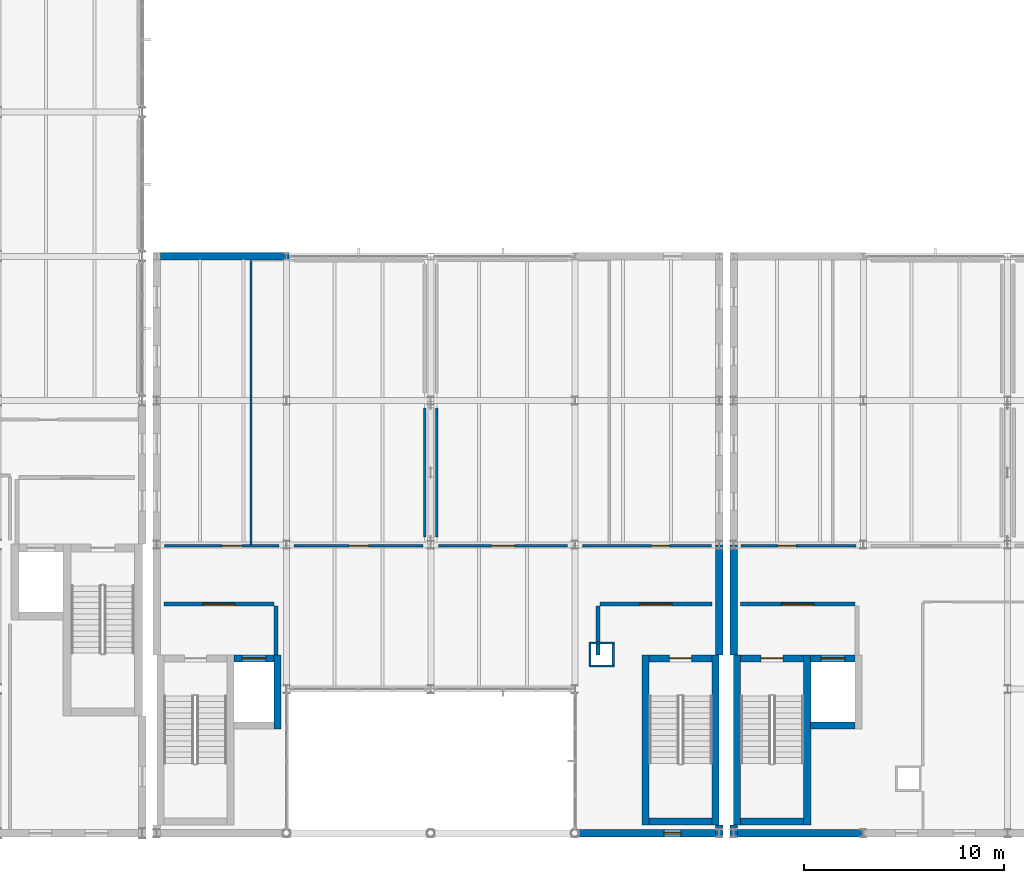
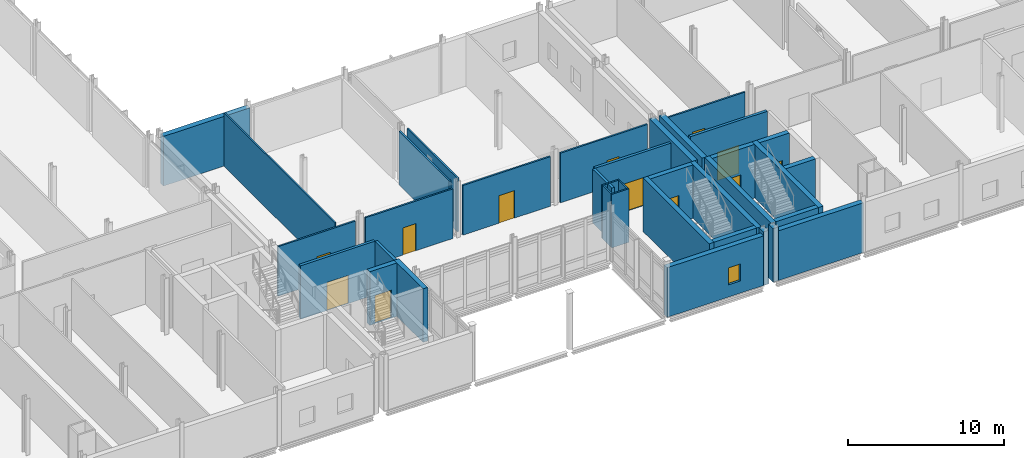
# One storey, part 53 of 76: 36 walls, 12 doors, 1 window, 13 openings.
"""IFC4 building model written with IfcOpenShell, lengths in metres."""

import ifcopenshell
import ifcopenshell.guid

model = None  # the IFC model being written
_history = None  # IfcOwnerHistory: only IFC2X3 demands one
_inside = {}  # id of a spatial element -> (the spatial element, [elements in it])
_under = {}  # id of a project, library or spatial element -> (it, [spatial elements below it])
_declared = {}  # id of a project -> (the project, [libraries it declares])
_typed = {}  # id of a type object -> (the type object, [elements of that type])
_made_of = {}  # id of a material, layer set ... -> (it, [elements and type objects made of it])


def new_model(schema):
    """Start an empty IFC model of exactly this schema.

    Asked for "IFC4X3", IfcOpenShell would pick the latest addendum, in which some entities
    have other attributes; the version numbers below select the first issue.
    IFC2X3 requires an IfcOwnerHistory on every rooted entity: one is made here for all.
    """
    global model, _history
    if schema == "IFC4X3":
        model = ifcopenshell.file(schema_version=(4, 3, 0, 0))
    else:
        model = ifcopenshell.file(schema=schema)
    _inside.clear()
    _under.clear()
    _declared.clear()
    _typed.clear()
    _made_of.clear()
    _history = None
    if model.schema == "IFC2X3":
        org = make("IfcOrganization", Name="unknown")
        user = make(
            "IfcPersonAndOrganization",
            ThePerson=make("IfcPerson", FamilyName="unknown"),
            TheOrganization=org,
        )
        app = make(
            "IfcApplication",
            ApplicationDeveloper=org,
            Version="unknown",
            ApplicationFullName="unknown",
            ApplicationIdentifier="unknown",
        )
        _history = make(
            "IfcOwnerHistory",
            OwningUser=user,
            OwningApplication=app,
            ChangeAction="ADDED",
            CreationDate=0,
        )
    return model


def make(cls, **values):
    """One entity of the class cls with the attributes given. An attribute that is None is left unset."""
    return model.create_entity(
        cls, **{name: value for name, value in values.items() if value is not None}
    )


def rooted(cls, **values):
    """An entity with a GlobalId (a new one), such as an element, a storey or a relation."""
    return make(cls, GlobalId=ifcopenshell.guid.new(), OwnerHistory=_history, **values)


def si_unit(unit_type, name, prefix=None):
    """IfcSIUnit, for example si_unit("LENGTHUNIT", "METRE", prefix="MILLI")."""
    return make("IfcSIUnit", UnitType=unit_type, Prefix=prefix, Name=name)


def assignment(units):
    """IfcUnitAssignment: the units of a project."""
    return None if units is None else make("IfcUnitAssignment", Units=units)


def point(xyz):
    """IfcCartesianPoint."""
    return None if xyz is None else make("IfcCartesianPoint", Coordinates=xyz)


def direction(xyz):
    """IfcDirection."""
    return None if xyz is None else make("IfcDirection", DirectionRatios=xyz)


def frame(location, z_axis=None, x_axis=None):
    """IfcAxis2Placement3D, a coordinate frame: its origin and axes. An axis left out is left unset."""
    return make(
        "IfcAxis2Placement3D",
        Location=point(location),
        Axis=direction(z_axis),
        RefDirection=direction(x_axis),
    )


def frame_2d(location, x_axis=None):
    """IfcAxis2Placement2D, a coordinate frame in the plane: its origin and x axis."""
    return make(
        "IfcAxis2Placement2D", Location=point(location), RefDirection=direction(x_axis)
    )


def origin():
    """The frame at (0, 0, 0) with its axes left unset."""
    return frame((0.0, 0.0, 0.0))


def place(relative_to, where):
    """IfcLocalPlacement: puts the frame where relative to a parent placement (None: the world)."""
    return make(
        "IfcLocalPlacement", PlacementRelTo=relative_to, RelativePlacement=where
    )


def context(
    kind, dimensions, precision=None, world=None, true_north=None, identifier=None
):
    """IfcGeometricRepresentationContext, for example the 3D "Model" context."""
    return make(
        "IfcGeometricRepresentationContext",
        ContextIdentifier=identifier,
        ContextType=kind,
        CoordinateSpaceDimension=dimensions,
        Precision=precision,
        WorldCoordinateSystem=world,
        TrueNorth=true_north,
    )


def subcontext(parent, identifier, kind, view, scale=None):
    """IfcGeometricRepresentationSubContext, for example "Body" below "Model"."""
    return make(
        "IfcGeometricRepresentationSubContext",
        ContextIdentifier=identifier,
        ContextType=kind,
        ParentContext=parent,
        TargetScale=scale,
        TargetView=view,
    )


def project(units=None, contexts=None):
    """IfcProject with its units and contexts."""
    return rooted(
        "IfcProject",
        Name="project",
        RepresentationContexts=contexts,
        UnitsInContext=assignment(units),
    )


def spatial(cls, under=None, at=None, **own):
    """A site, building, storey or space (cls), placed at a placement, below another one or the project."""
    s = rooted(cls, ObjectPlacement=at, **own)
    if under is not None:
        _under.setdefault(under.id(), (under, []))[1].append(s)
    return s


def profile(cls, at=None, kind="AREA", **sizes):
    """A parametric profile (cls). Its sizes go by their IFC names, for example OverallWidth=200.0."""
    return make(cls, ProfileType=kind, Position=at, **sizes)


def rectangle(**sizes):
    """IfcRectangleProfileDef."""
    return profile("IfcRectangleProfileDef", **sizes)


def extrude(swept, where, along, depth):
    """IfcExtrudedAreaSolid: the profile swept, set in the frame where, extruded along a direction by depth."""
    return make(
        "IfcExtrudedAreaSolid",
        SweptArea=swept,
        Position=where,
        ExtrudedDirection=direction(along),
        Depth=depth,
    )


def shape(context_of_items, identifier, shape_type, items):
    """IfcShapeRepresentation: the items that make up one representation, for example the "Body"."""
    return make(
        "IfcShapeRepresentation",
        ContextOfItems=context_of_items,
        RepresentationIdentifier=identifier,
        RepresentationType=shape_type,
        Items=items,
    )


def material(Name=None, Category=None):
    """IfcMaterial."""
    return make("IfcMaterial", Name=Name, Category=Category)


def layer(
    of_material, thickness, ventilated=None, Name=None, Category=None, Priority=None
):
    """IfcMaterialLayer: one layer of a wall or slab, of a material (None: an air gap)."""
    return make(
        "IfcMaterialLayer",
        Material=of_material,
        LayerThickness=thickness,
        IsVentilated=ventilated,
        Name=Name,
        Category=Category,
        Priority=Priority,
    )


def layer_set(layers, Name=None):
    """IfcMaterialLayerSet."""
    return make("IfcMaterialLayerSet", MaterialLayers=layers, LayerSetName=Name)


def made_of(thing, what):
    """Note that an element or type object is made of a material, layer set ...; save() writes the relation."""
    if what is not None:
        _made_of.setdefault(what.id(), (what, []))[1].append(thing)
    return thing


def type_object(cls, material=None, **own):
    """A type object (cls), such as IfcWallType, which elements share."""
    return made_of(rooted(cls, **own), material)


def element(
    cls,
    number,
    at=None,
    inside=None,
    cuts=None,
    type_object=None,
    material=None,
    context=None,
    identifier="Body",
    shape_type=None,
    held_by="IfcProductDefinitionShape",
    body=None,
    shapes=None,
    **own,
):
    """One element of the class cls, such as IfcWall. Its Tag is "e" and its number.

    at: its placement. inside: the storey or other place that contains it. cuts: it is an
    opening in that element (IfcRelVoidsElement). A single representation is given by context,
    identifier, shape_type and body (its items); several are given by shapes. held_by: the class
    of the entity that holds the representations. save() writes the other relations.
    """
    e = rooted(cls, Tag="e%d" % number, ObjectPlacement=at, **own)
    if body is not None:
        shapes = [shape(context, identifier, shape_type, body)]
    if shapes is not None:
        e.Representation = make(held_by, Representations=shapes)
    if inside is not None:
        _inside.setdefault(inside.id(), (inside, []))[1].append(e)
    if cuts is not None:
        rooted(
            "IfcRelVoidsElement", RelatingBuildingElement=cuts, RelatedOpeningElement=e
        )
    if type_object is not None:
        _typed.setdefault(type_object.id(), (type_object, []))[1].append(e)
    return made_of(e, material)


def fill(opening, filler):
    """IfcRelFillsElement: the door or window that sits in an opening."""
    return rooted(
        "IfcRelFillsElement",
        RelatingOpeningElement=opening,
        RelatedBuildingElement=filler,
    )


def aggregate(whole, parts):
    """IfcRelAggregates: a whole, such as a stair, and the parts it consists of."""
    return rooted("IfcRelAggregates", RelatingObject=whole, RelatedObjects=parts)


def save(model, path):
    """Write the relations noted so far, then the file.

    IfcRelAggregates (storeys below a building ...), IfcRelContainedInSpatialStructure (elements
    in a storey), IfcRelDefinesByType, IfcRelAssociatesMaterial and IfcRelDeclares: one each for
    every whole, place, type object, material and project.
    """
    for whole, parts in _under.values():
        aggregate(whole, parts)
    for where, things in _inside.values():
        rooted(
            "IfcRelContainedInSpatialStructure",
            RelatedElements=things,
            RelatingStructure=where,
        )
    for kind, things in _typed.values():
        rooted("IfcRelDefinesByType", RelatedObjects=things, RelatingType=kind)
    for what, things in _made_of.values():
        rooted("IfcRelAssociatesMaterial", RelatedObjects=things, RelatingMaterial=what)
    for by, libraries in _declared.values():
        rooted("IfcRelDeclares", RelatingContext=by, RelatedDefinitions=libraries)
    model.write(path)


model = new_model("IFC4")

# Units and contexts
model_context = context("Model", 3, precision=1e-05, world=origin(), true_north=direction((0.0, 1.0)))
body_context = subcontext(model_context, "Body", "Model", "MODEL_VIEW")
ifc_project = project(units=[si_unit("LENGTHUNIT", "METRE"), si_unit("AREAUNIT", "SQUARE_METRE"), si_unit("VOLUMEUNIT", "CUBIC_METRE"), si_unit("PLANEANGLEUNIT", "RADIAN"), si_unit("MASSUNIT", "GRAM", prefix="KILO")], contexts=[model_context])

# Site, building, storey
site_placement = place(None, origin())
site = spatial("IfcSite", under=ifc_project, at=site_placement, CompositionType="ELEMENT")
building_placement = place(site_placement, origin())
building = spatial("IfcBuilding", under=site, at=building_placement, Name="Zarrinpeak Specialist Clinic", CompositionType="ELEMENT")
storey_placement = place(building_placement, frame((0.0, 0.0, 5.199951171875)))
storey = spatial("IfcBuildingStorey", under=building, at=storey_placement, Name="L01", CompositionType="ELEMENT", Elevation=5.199951171875)

# Wall, opening, door
ifc_material_1 = material(Name="Concrete C40/50", Category="concrete")
ifc_layer_1 = layer(ifc_material_1, 0.35009765625)
ifc_layer_set_1 = layer_set([ifc_layer_1], Name="Concrete C40/50")
wall_type_1 = type_object("IfcWallType", Name="WL-CR350", PredefinedType="SHEAR", material=ifc_layer_set_1)
wall_1_placement = place(storey_placement, frame((33.3701171875, 8.72509765625, 0.0), z_axis=(0.0, 0.0, 1.0), x_axis=(1.0, 0.0, 0.0)))
wall_1 = element("IfcWall", 1, at=wall_1_placement, inside=storey, type_object=wall_type_1, Name="L01 Lift LF-P2 Shaft Wall LFN", PredefinedType="SHEAR", context=body_context, shape_type="SweptSolid", body=[
    extrude(rectangle(XDim=2.0, YDim=0.35009765625, at=frame_2d((1.0, 0.0))), origin(), (0.0, 0.0, 1.0), 4.18505859375),
])
opening_1_placement = place(wall_1_placement, frame((0.39990234375, 0.0, 0.0)))
opening_1 = element("IfcOpeningElement", 2, at=opening_1_placement, cuts=wall_1, Name="Opening LD-02", PredefinedType="OPENING", context=body_context, shape_type="SweptSolid", body=[
    extrude(rectangle(XDim=1.199951171875, YDim=2.199951171875, at=frame_2d((0.60009765625, 1.10009765625))), frame((0.0, 0.18505859375, 0.0), z_axis=(0.0, -1.0, 0.0), x_axis=(1.0, 0.0, 0.0)), (0.0, 0.0, 1.0), 0.3701171875),
])
ifc_material_2 = material(Name="Powder-Coated Galvanised Steel", Category="steel")
door_type_1 = type_object("IfcDoorType", Name="DR-LD120", OperationType="SLIDING_TO_RIGHT", PredefinedType="DOOR", material=ifc_material_2)
door_1_placement = place(opening_1_placement, origin())
door_1 = element("IfcDoor", 3, at=door_1_placement, inside=storey, type_object=door_type_1, Name="L01 Lift LF-P2 Sliding Landing Door", OperationType="SLIDING_TO_RIGHT", OverallHeight=2.199951171875, OverallWidth=1.199951171875, PredefinedType="DOOR", context=body_context, shape_type="SweptSolid", body=[
    extrude(rectangle(XDim=1.199951171875, YDim=2.199951171875, at=frame_2d((0.60009765625, 1.10009765625))), frame((0.0, 0.02490234375, 0.0), z_axis=(0.0, -1.0, 0.0), x_axis=(1.0, 0.0, 0.0)), (0.0, 0.0, 1.0), 0.050048828125),
])
fill(opening_1, door_1)

# Walls
wall_2_placement = place(storey_placement, frame((35.544921875, 5.199951171875, 0.0), z_axis=(0.0, 0.0, 1.0), x_axis=(0.0, 1.0, 0.0)))
element("IfcWall", 4, at=wall_2_placement, inside=storey, type_object=wall_type_1, Name="L01 Lift LF-P2 Shaft Wall LFE", PredefinedType="SHEAR", context=body_context, shape_type="SweptSolid", body=[
    extrude(rectangle(XDim=3.699951171875, YDim=0.35009765625, at=frame_2d((1.85009765625, 0.0))), origin(), (0.0, 0.0, 1.0), 4.18505859375),
])
wall_3_placement = place(storey_placement, frame((54.10009765625, 0.574951171875, 0.0), z_axis=(0.0, 0.0, 1.0), x_axis=(1.0, 0.0, 0.0)))
element("IfcWall", 5, at=wall_3_placement, inside=storey, type_object=wall_type_1, Name="L01 Core C04 Shear Wall STS", PredefinedType="SHEAR", context=body_context, shape_type="SweptSolid", body=[
    extrude(rectangle(XDim=3.14990234375, YDim=0.35009765625, at=frame_2d((1.574951171875, 0.0))), origin(), (0.0, 0.0, 1.0), 4.18505859375),
])

# Wall, opening, door
wall_4_placement = place(storey_placement, frame((54.10009765625, 8.72509765625, 0.0), z_axis=(0.0, 0.0, 1.0), x_axis=(1.0, 0.0, 0.0)))
wall_4 = element("IfcWall", 6, at=wall_4_placement, inside=storey, type_object=wall_type_1, Name="L01 Core C04 Shear Wall STN", PredefinedType="SHEAR", context=body_context, shape_type="SweptSolid", body=[
    extrude(rectangle(XDim=3.14990234375, YDim=0.35009765625, at=frame_2d((1.574951171875, 0.0))), origin(), (0.0, 0.0, 1.0), 4.18505859375),
])
opening_2_placement = place(wall_4_placement, frame((1.02490234375, 0.0, 0.0)))
opening_2 = element("IfcOpeningElement", 7, at=opening_2_placement, cuts=wall_4, Name="Opening D-S02", PredefinedType="OPENING", context=body_context, shape_type="SweptSolid", body=[
    extrude(rectangle(XDim=1.10009765625, YDim=2.14990234375, at=frame_2d((0.550048828125, 1.074951171875))), frame((0.0, 0.18505859375, 0.0), z_axis=(0.0, -1.0, 0.0), x_axis=(1.0, 0.0, 0.0)), (0.0, 0.0, 1.0), 0.3701171875),
])
door_type_2 = type_object("IfcDoorType", Name="DR-FD110", OperationType="SINGLE_SWING_RIGHT", PredefinedType="DOOR", material=ifc_material_2)
door_2_placement = place(opening_2_placement, frame((1.10009765625, 0.0, 0.0), z_axis=(0.0, 0.0, 1.0), x_axis=(-1.0, 0.0, 0.0)))
door_2 = element("IfcDoor", 8, at=door_2_placement, inside=storey, type_object=door_type_2, Name="L01 Protected Stair ST-04 Fire Door", OperationType="SINGLE_SWING_RIGHT", OverallHeight=2.14990234375, OverallWidth=1.10009765625, PredefinedType="DOOR", context=body_context, shape_type="SweptSolid", body=[
    extrude(rectangle(XDim=1.10009765625, YDim=2.14990234375, at=frame_2d((0.550048828125, 1.074951171875))), frame((0.0, 0.02490234375, 0.0), z_axis=(0.0, -1.0, 0.0), x_axis=(1.0, 0.0, 0.0)), (0.0, 0.0, 1.0), 0.050048828125),
])
fill(opening_2, door_2)

# Walls
for number, where, z_axis, x_axis, name in (
    (9, (53.925048828125, 0.39990234375, 0.0), (0.0, 0.0, 1.0), (0.0, 1.0, 0.0), "L01 Core C04 Shear Wall STW"),
    (10, (57.425048828125, 0.39990234375, 0.0), (0.0, 0.0, 1.0), (0.0, 1.0, 0.0), "L01 Core C04 Shear Wall STE"),
):
    element("IfcWall", number, at=place(storey_placement, frame(where, z_axis=z_axis, x_axis=x_axis)), inside=storey, type_object=wall_type_1, Name=name, PredefinedType="SHEAR", context=body_context, shape_type="SweptSolid", body=[
        extrude(rectangle(XDim=8.5, YDim=0.35009765625, at=frame_2d((4.25, 0.0))), origin(), (0.0, 0.0, 1.0), 4.18505859375),
    ])
wall_5_placement = place(storey_placement, frame((58.669921875, 0.574951171875, 0.0), z_axis=(0.0, 0.0, 1.0), x_axis=(1.0, 0.0, 0.0)))
element("IfcWall", 11, at=wall_5_placement, inside=storey, type_object=wall_type_1, Name="L01 Core C07 Shear Wall STS", PredefinedType="SHEAR", context=body_context, shape_type="SweptSolid", body=[
    extrude(rectangle(XDim=3.150146484375, YDim=0.35009765625, at=frame_2d((1.5751953125, 0.0))), origin(), (0.0, 0.0, 1.0), 4.18505859375),
])

# Wall, opening, door
wall_6_placement = place(storey_placement, frame((58.669921875, 8.72509765625, 0.0), z_axis=(0.0, 0.0, 1.0), x_axis=(1.0, 0.0, 0.0)))
wall_6 = element("IfcWall", 12, at=wall_6_placement, inside=storey, type_object=wall_type_1, Name="L01 Core C07 Shear Wall STN", PredefinedType="SHEAR", context=body_context, shape_type="SweptSolid", body=[
    extrude(rectangle(XDim=3.150146484375, YDim=0.35009765625, at=frame_2d((1.5751953125, 0.0))), origin(), (0.0, 0.0, 1.0), 4.18505859375),
])
opening_3_placement = place(wall_6_placement, frame((1.02490234375, 0.0, 0.0)))
opening_3 = element("IfcOpeningElement", 13, at=opening_3_placement, cuts=wall_6, Name="Opening D-S02", PredefinedType="OPENING", context=body_context, shape_type="SweptSolid", body=[
    extrude(rectangle(XDim=1.10009765625, YDim=2.14990234375, at=frame_2d((0.550048828125, 1.074951171875))), frame((0.0, 0.18505859375, 0.0), z_axis=(0.0, -1.0, 0.0), x_axis=(1.0, 0.0, 0.0)), (0.0, 0.0, 1.0), 0.3701171875),
])
door_3_placement = place(opening_3_placement, frame((1.10009765625, 0.0, 0.0), z_axis=(0.0, 0.0, 1.0), x_axis=(-1.0, 0.0, 0.0)))
door_3 = element("IfcDoor", 14, at=door_3_placement, inside=storey, type_object=door_type_2, Name="L01 Protected Stair ST-07 Fire Door", OperationType="SINGLE_SWING_RIGHT", OverallHeight=2.14990234375, OverallWidth=1.10009765625, PredefinedType="DOOR", context=body_context, shape_type="SweptSolid", body=[
    extrude(rectangle(XDim=1.10009765625, YDim=2.14990234375, at=frame_2d((0.550048828125, 1.074951171875))), frame((0.0, 0.02490234375, 0.0), z_axis=(0.0, -1.0, 0.0), x_axis=(1.0, 0.0, 0.0)), (0.0, 0.0, 1.0), 0.050048828125),
])
fill(opening_3, door_3)

# Walls
for number, where, z_axis, x_axis, name in (
    (15, (58.4951171875, 0.39990234375, 0.0), (0.0, 0.0, 1.0), (0.0, 1.0, 0.0), "L01 Core C07 Shear Wall STW"),
    (16, (61.9951171875, 0.39990234375, 0.0), (0.0, 0.0, 1.0), (0.0, 1.0, 0.0), "L01 Core C07 Shear Wall STE"),
):
    element("IfcWall", number, at=place(storey_placement, frame(where, z_axis=z_axis, x_axis=x_axis)), inside=storey, type_object=wall_type_1, Name=name, PredefinedType="SHEAR", context=body_context, shape_type="SweptSolid", body=[
        extrude(rectangle(XDim=8.5, YDim=0.35009765625, at=frame_2d((4.25, 0.0))), origin(), (0.0, 0.0, 1.0), 4.18505859375),
    ])
wall_7_placement = place(storey_placement, frame((62.169921875, 5.375, 0.0), z_axis=(0.0, 0.0, 1.0), x_axis=(1.0, 0.0, 0.0)))
element("IfcWall", 17, at=wall_7_placement, inside=storey, type_object=wall_type_1, Name="L01 Lift LF-P4 Shaft Wall LFS", PredefinedType="SHEAR", context=body_context, shape_type="SweptSolid", body=[
    extrude(rectangle(XDim=2.2001953125, YDim=0.35009765625, at=frame_2d((1.10009765625, 0.0))), origin(), (0.0, 0.0, 1.0), 4.18505859375),
])

# Wall, opening, door
wall_8_placement = place(storey_placement, frame((62.169921875, 8.72509765625, 0.0), z_axis=(0.0, 0.0, 1.0), x_axis=(1.0, 0.0, 0.0)))
wall_8 = element("IfcWall", 18, at=wall_8_placement, inside=storey, type_object=wall_type_1, Name="L01 Lift LF-P4 Shaft Wall LFN", PredefinedType="SHEAR", context=body_context, shape_type="SweptSolid", body=[
    extrude(rectangle(XDim=2.2001953125, YDim=0.35009765625, at=frame_2d((1.10009765625, 0.0))), origin(), (0.0, 0.0, 1.0), 4.18505859375),
])
opening_4_placement = place(wall_8_placement, frame((0.5, 0.0, 0.0)))
opening_4 = element("IfcOpeningElement", 19, at=opening_4_placement, cuts=wall_8, Name="Opening LD-02", PredefinedType="OPENING", context=body_context, shape_type="SweptSolid", body=[
    extrude(rectangle(XDim=1.199951171875, YDim=2.199951171875, at=frame_2d((0.60009765625, 1.10009765625))), frame((0.0, 0.18505859375, 0.0), z_axis=(0.0, -1.0, 0.0), x_axis=(1.0, 0.0, 0.0)), (0.0, 0.0, 1.0), 0.3701171875),
])
door_4_placement = place(opening_4_placement, origin())
door_4 = element("IfcDoor", 20, at=door_4_placement, inside=storey, type_object=door_type_1, Name="L01 Lift LF-P4 Sliding Landing Door", OperationType="SLIDING_TO_RIGHT", OverallHeight=2.199951171875, OverallWidth=1.199951171875, PredefinedType="DOOR", context=body_context, shape_type="SweptSolid", body=[
    extrude(rectangle(XDim=1.199951171875, YDim=2.199951171875, at=frame_2d((0.60009765625, 1.10009765625))), frame((0.0, 0.02490234375, 0.0), z_axis=(0.0, -1.0, 0.0), x_axis=(1.0, 0.0, 0.0)), (0.0, 0.0, 1.0), 0.050048828125),
])
fill(opening_4, door_4)

# Wall, opening, window
ifc_material_3 = material(Name="Precast concrete C40/50", Category="concrete")
ifc_layer_2 = layer(ifc_material_3, 0.3798828125)
ifc_layer_set_2 = layer_set([ifc_layer_2], Name="Precast concrete C40/50")
wall_type_2 = type_object("IfcWallType", Name="WL-EW380", PredefinedType="STANDARD", material=ifc_layer_set_2)
wall_9_placement = place(storey_placement, frame((50.2900390625, 0.0, 0.0), z_axis=(0.0, 0.0, 1.0), x_axis=(1.0, 0.0, 0.0)))
wall_9 = element("IfcWall", 21, at=wall_9_placement, inside=storey, type_object=wall_type_2, Name="L01 V2 Exterior GRC Wall EW-L01-V2-0110", PredefinedType="STANDARD", context=body_context, shape_type="SweptSolid", body=[
    extrude(rectangle(XDim=7.119873046875, YDim=0.3798828125, at=frame_2d((3.56005859375, 0.0))), origin(), (0.0, 0.0, 1.0), 3.880126953125),
])
opening_5_placement = place(wall_9_placement, frame((4.553955078125, 0.0, 0.949951171875)))
opening_5 = element("IfcOpeningElement", 22, at=opening_5_placement, cuts=wall_9, Name="Opening WS-27", PredefinedType="OPENING", context=body_context, shape_type="SweptSolid", body=[
    extrude(rectangle(XDim=0.860107421875, YDim=1.33203125, at=frame_2d((0.43017578125, 0.666015625))), frame((0.0, 0.199951171875, 0.0), z_axis=(0.0, -1.0, 0.0), x_axis=(1.0, 0.0, 0.0)), (0.0, 0.0, 1.0), 0.39990234375),
])
ifc_material_4 = material(Name="Thermally Broken Aluminium and Low-E Glazing", Category="aluminium")
window_type = type_object("IfcWindowType", Name="WN-SP27", PartitioningType="SINGLE_PANEL", PredefinedType="WINDOW", material=ifc_material_4)
window_placement = place(opening_5_placement, origin())
window = element("IfcWindow", 23, at=window_placement, inside=storey, type_object=window_type, Name="L01 Modular Facade Window WN-L01-0148", OverallHeight=1.33203125, OverallWidth=0.860107421875, PartitioningType="SINGLE_PANEL", PredefinedType="WINDOW", context=body_context, shape_type="SweptSolid", body=[
    extrude(rectangle(XDim=0.860107421875, YDim=1.33203125, at=frame_2d((0.43017578125, 0.666015625))), frame((0.0, 0.030029296875, 0.0), z_axis=(0.0, -1.0, 0.0), x_axis=(1.0, 0.0, 0.0)), (0.0, 0.0, 1.0), 0.06005859375),
])
fill(opening_5, window)

# Walls
wall_10_placement = place(storey_placement, frame((36.110107421875, 28.800048828125, 0.0), z_axis=(0.0, 0.0, 1.0), x_axis=(-1.0, 0.0, 0.0)))
element("IfcWall", 24, at=wall_10_placement, inside=storey, type_object=wall_type_2, Name="L01 V2 Exterior GRC Wall EW-L01-V2-0111", PredefinedType="STANDARD", context=body_context, shape_type="SweptSolid", body=[
    extrude(rectangle(XDim=6.400146484375, YDim=0.3798828125, at=frame_2d((3.2001953125, 0.0))), origin(), (0.0, 0.0, 1.0), 3.880126953125),
])
wall_11_placement = place(storey_placement, frame((57.60009765625, -0.18994140625, 0.0), z_axis=(0.0, 0.0, 1.0), x_axis=(0.0, 1.0, 0.0)))
element("IfcWall", 25, at=wall_11_placement, inside=storey, type_object=wall_type_2, Name="L01 V2 Exterior GRC Wall EW-L01-V2-0117", PredefinedType="STANDARD", context=body_context, shape_type="SweptSolid", body=[
    extrude(rectangle(XDim=0.58984375, YDim=0.3798828125, at=frame_2d((0.294921875, 0.0))), origin(), (0.0, 0.0, 1.0), 4.18505859375),
])
wall_12_placement = place(storey_placement, frame((57.60009765625, 8.89990234375, 0.0), z_axis=(0.0, 0.0, 1.0), x_axis=(0.0, 1.0, 0.0)))
element("IfcWall", 26, at=wall_12_placement, inside=storey, type_object=wall_type_2, Name="L01 V2 Exterior GRC Wall EW-L01-V2-0118", PredefinedType="STANDARD", context=body_context, shape_type="SweptSolid", body=[
    extrude(rectangle(XDim=5.5, YDim=0.3798828125, at=frame_2d((2.75, 0.0))), origin(), (0.0, 0.0, 1.0), 4.18505859375),
])
wall_13_placement = place(storey_placement, frame((58.510009765625, 0.0, 0.0), z_axis=(0.0, 0.0, 1.0), x_axis=(1.0, 0.0, 0.0)))
element("IfcWall", 27, at=wall_13_placement, inside=storey, type_object=wall_type_2, Name="L01 V4 Exterior GRC Wall EW-L01-V4-0164", PredefinedType="STANDARD", context=body_context, shape_type="SweptSolid", body=[
    extrude(rectangle(XDim=6.2900390625, YDim=0.3798828125, at=frame_2d((3.14501953125, 0.0))), origin(), (0.0, 0.0, 1.0), 3.880126953125),
])
wall_14_placement = place(storey_placement, frame((58.320068359375, 0.39990234375, 0.0), z_axis=(0.0, 0.0, 1.0), x_axis=(0.0, -1.0, 0.0)))
element("IfcWall", 28, at=wall_14_placement, inside=storey, type_object=wall_type_2, Name="L01 V4 Exterior GRC Wall EW-L01-V4-0170", PredefinedType="STANDARD", context=body_context, shape_type="SweptSolid", body=[
    extrude(rectangle(XDim=0.58984375, YDim=0.3798828125, at=frame_2d((0.294921875, 0.0))), origin(), (0.0, 0.0, 1.0), 4.18505859375),
])
wall_15_placement = place(storey_placement, frame((58.320068359375, 14.39990234375, 0.0), z_axis=(0.0, 0.0, 1.0), x_axis=(0.0, -1.0, 0.0)))
element("IfcWall", 29, at=wall_15_placement, inside=storey, type_object=wall_type_2, Name="L01 V4 Exterior GRC Wall EW-L01-V4-0171", PredefinedType="STANDARD", context=body_context, shape_type="SweptSolid", body=[
    extrude(rectangle(XDim=5.5, YDim=0.3798828125, at=frame_2d((2.75, 0.0))), origin(), (0.0, 0.0, 1.0), 4.18505859375),
])
ifc_material_5 = material(Name="Sanitary Service Chase Plumbing Wall", Category="gypsum")
ifc_layer_3 = layer(ifc_material_5, 0.110107421875)
ifc_layer_set_3 = layer_set([ifc_layer_3], Name="Sanitary Service Chase Plumbing Wall")
wall_type_3 = type_object("IfcWallType", Name="WL-IW110", PredefinedType="PARTITIONING", material=ifc_layer_set_3)
for number, where, z_axis, x_axis, name in (
    (30, (51.090087890625, 8.344970703125, 0.0), (0.0, 0.0, 1.0), (1.0, 0.0, 0.0), "L01 V2 Enclosed MEP Service Riser Wall S"),
    (31, (51.090087890625, 9.5048828125, 0.0), (0.0, 0.0, 1.0), (1.0, 0.0, 0.0), "L01 V2 Enclosed MEP Service Riser Wall N"),
):
    element("IfcWall", number, at=place(storey_placement, frame(where, z_axis=z_axis, x_axis=x_axis)), inside=storey, type_object=wall_type_3, Name=name, PredefinedType="PARTITIONING", context=body_context, shape_type="SweptSolid", body=[
        extrude(rectangle(XDim=1.27001953125, YDim=0.110107421875, at=frame_2d((0.635009765625, 0.0))), origin(), (0.0, 0.0, 1.0), 4.18505859375),
    ])
for number, where, z_axis, x_axis, name in (
    (32, (51.14501953125, 8.39990234375, 0.0), (0.0, 0.0, 1.0), (0.0, 1.0, 0.0), "L01 V2 Enclosed MEP Service Riser Wall W"),
    (33, (52.304931640625, 8.39990234375, 0.0), (0.0, 0.0, 1.0), (0.0, 1.0, 0.0), "L01 V2 Enclosed MEP Service Riser Wall E"),
):
    element("IfcWall", number, at=place(storey_placement, frame(where, z_axis=z_axis, x_axis=x_axis)), inside=storey, type_object=wall_type_3, Name=name, PredefinedType="PARTITIONING", context=body_context, shape_type="SweptSolid", body=[
        extrude(rectangle(XDim=1.050048828125, YDim=0.110107421875, at=frame_2d((0.52490234375, 0.0))), origin(), (0.0, 0.0, 1.0), 4.18505859375),
    ])
wall_16_placement = place(storey_placement, frame((34.219970703125, 14.41259765625, 0.0), z_axis=(0.0, 0.0, 1.0), x_axis=(0.0, 1.0, 0.0)))
element("IfcWall", 34, at=wall_16_placement, inside=storey, type_object=wall_type_3, Name="L01 Accessible Patient WC Dividing Partition", PredefinedType="PARTITIONING", context=body_context, shape_type="SweptSolid", body=[
    extrude(rectangle(XDim=14.1875, YDim=0.110107421875, at=frame_2d((7.09375, 0.0))), origin(), (0.0, 0.0, 1.0), 4.18505859375),
])
ifc_material_6 = material(Name="Cleanroom Flush Phenolic Partition", Category="gypsum")
ifc_layer_4 = layer(ifc_material_6, 0.117919921875)
ifc_layer_set_4 = layer_set([ifc_layer_4], Name="Cleanroom Flush Phenolic Partition")
wall_type_4 = type_object("IfcWallType", Name="WL-IW118", PredefinedType="PARTITIONING", material=ifc_layer_set_4)
wall_17_placement = place(storey_placement, frame((43.5, 14.780029296875, 0.0), z_axis=(0.0, 0.0, 1.0), x_axis=(0.0, 1.0, 0.0)))
element("IfcWall", 35, at=wall_17_placement, inside=storey, type_object=wall_type_4, Name="L01 Compounding Cleanroom Pharmacy Dividing Partition", PredefinedType="PARTITIONING", context=body_context, shape_type="SweptSolid", body=[
    extrude(rectangle(XDim=6.43994140625, YDim=0.117919921875, at=frame_2d((3.219970703125, 0.0))), origin(), (0.0, 0.0, 1.0), 4.18505859375),
])

# Wall, opening, door
ifc_material_7 = material(Name="Moisture-Resistant Wet-Room Partition", Category="gypsum")
ifc_layer_5 = layer(ifc_material_7, 0.125)
ifc_layer_set_5 = layer_set([ifc_layer_5], Name="Moisture-Resistant Wet-Room Partition")
wall_type_5 = type_object("IfcWallType", Name="WL-IW125W", PredefinedType="PARTITIONING", material=ifc_layer_set_5)
wall_18_placement = place(storey_placement, frame((29.89990234375, 14.35009765625, 0.0), z_axis=(0.0, 0.0, 1.0), x_axis=(1.0, 0.0, 0.0)))
wall_18 = element("IfcWall", 36, at=wall_18_placement, inside=storey, type_object=wall_type_5, Name="L01 Accessible Patient WC Partition", PredefinedType="PARTITIONING", context=body_context, shape_type="SweptSolid", body=[
    extrude(rectangle(XDim=5.72021484375, YDim=0.125, at=frame_2d((2.860107421875, 0.0))), origin(), (0.0, 0.0, 1.0), 3.880126953125),
])
opening_6_placement = place(wall_18_placement, frame((2.8701171875, 0.0, 0.0)))
opening_6 = element("IfcOpeningElement", 37, at=opening_6_placement, cuts=wall_18, Name="Opening D-W02", PredefinedType="OPENING", context=body_context, shape_type="SweptSolid", body=[
    extrude(rectangle(XDim=1.0, YDim=2.10009765625, at=frame_2d((0.5, 1.050048828125))), frame((0.0, 0.072509765625, 0.0), z_axis=(0.0, -1.0, 0.0), x_axis=(1.0, 0.0, 0.0)), (0.0, 0.0, 1.0), 0.14501953125),
])
door_type_3 = type_object("IfcDoorType", Name="DR-AWC100", OperationType="SLIDING_TO_LEFT", PredefinedType="DOOR", material=ifc_material_2)
door_5_placement = place(opening_6_placement, frame((1.0, 0.0, 0.0), z_axis=(0.0, 0.0, 1.0), x_axis=(-1.0, 0.0, 0.0)))
door_5 = element("IfcDoor", 38, at=door_5_placement, inside=storey, type_object=door_type_3, Name="L01 Accessible Patient WC Door", OperationType="SLIDING_TO_LEFT", OverallHeight=2.10009765625, OverallWidth=1.0, PredefinedType="DOOR", context=body_context, shape_type="SweptSolid", body=[
    extrude(rectangle(XDim=1.0, YDim=2.10009765625, at=frame_2d((0.5, 1.050048828125))), frame((0.0, 0.02490234375, 0.0), z_axis=(0.0, -1.0, 0.0), x_axis=(1.0, 0.0, 0.0)), (0.0, 0.0, 1.0), 0.050048828125),
])
fill(opening_6, door_5)

wall_19_placement = place(storey_placement, frame((36.3798828125, 14.35009765625, 0.0), z_axis=(0.0, 0.0, 1.0), x_axis=(1.0, 0.0, 0.0)))
wall_19 = element("IfcWall", 39, at=wall_19_placement, inside=storey, type_object=wall_type_5, Name="L01 Accessible Patient WC Partition", PredefinedType="PARTITIONING", context=body_context, shape_type="SweptSolid", body=[
    extrude(rectangle(XDim=6.440185546875, YDim=0.125, at=frame_2d((3.22021484375, 0.0))), origin(), (0.0, 0.0, 1.0), 3.880126953125),
])
opening_7_placement = place(wall_19_placement, frame((2.740966796875, 0.0, 0.0)))
opening_7 = element("IfcOpeningElement", 40, at=opening_7_placement, cuts=wall_19, Name="Opening DS-43", PredefinedType="OPENING", context=body_context, shape_type="SweptSolid", body=[
    extrude(rectangle(XDim=0.9580078125, YDim=2.1240234375, at=frame_2d((0.47900390625, 1.06201171875))), frame((0.0, 0.072509765625, 0.0), z_axis=(0.0, -1.0, 0.0), x_axis=(1.0, 0.0, 0.0)), (0.0, 0.0, 1.0), 0.14501953125),
])
door_type_4 = type_object("IfcDoorType", Name="DR-SP43", OperationType="SINGLE_SWING_RIGHT", PredefinedType="DOOR", material=ifc_material_2)
door_6_placement = place(opening_7_placement, frame((0.9580078125, 0.0, 0.0), z_axis=(0.0, 0.0, 1.0), x_axis=(-1.0, 0.0, 0.0)))
door_6 = element("IfcDoor", 41, at=door_6_placement, inside=storey, type_object=door_type_4, Name="L01 Medication Counseling Consult Door", OperationType="SINGLE_SWING_RIGHT", OverallHeight=2.1240234375, OverallWidth=0.9580078125, PredefinedType="DOOR", context=body_context, shape_type="SweptSolid", body=[
    extrude(rectangle(XDim=0.9580078125, YDim=2.1240234375, at=frame_2d((0.47900390625, 1.06201171875))), frame((0.0, 0.02490234375, 0.0), z_axis=(0.0, -1.0, 0.0), x_axis=(1.0, 0.0, 0.0)), (0.0, 0.0, 1.0), 0.050048828125),
])
fill(opening_7, door_6)

wall_20_placement = place(storey_placement, frame((43.580078125, 14.35009765625, 0.0), z_axis=(0.0, 0.0, 1.0), x_axis=(1.0, 0.0, 0.0)))
wall_20 = element("IfcWall", 42, at=wall_20_placement, inside=storey, type_object=wall_type_5, Name="L01 Staff WC Partition", PredefinedType="PARTITIONING", context=body_context, shape_type="SweptSolid", body=[
    extrude(rectangle(XDim=6.43994140625, YDim=0.125, at=frame_2d((3.219970703125, 0.0))), origin(), (0.0, 0.0, 1.0), 3.880126953125),
])
opening_8_placement = place(wall_20_placement, frame((2.64501953125, 0.0, 0.0)))
opening_8 = element("IfcOpeningElement", 43, at=opening_8_placement, cuts=wall_20, Name="Opening D-LB1", PredefinedType="OPENING", context=body_context, shape_type="SweptSolid", body=[
    extrude(rectangle(XDim=1.14990234375, YDim=2.14990234375, at=frame_2d((0.574951171875, 1.074951171875))), frame((0.0, 0.072509765625, 0.0), z_axis=(0.0, -1.0, 0.0), x_axis=(1.0, 0.0, 0.0)), (0.0, 0.0, 1.0), 0.14501953125),
])
door_type_5 = type_object("IfcDoorType", Name="DR-LAB115", OperationType="SINGLE_SWING_LEFT", PredefinedType="DOOR", material=ifc_material_2)
door_7_placement = place(opening_8_placement, frame((1.14990234375, 0.0, 0.0), z_axis=(0.0, 0.0, 1.0), x_axis=(-1.0, 0.0, 0.0)))
door_7 = element("IfcDoor", 44, at=door_7_placement, inside=storey, type_object=door_type_5, Name="L01 Compounding Cleanroom Pharmacy Door", OperationType="SINGLE_SWING_LEFT", OverallHeight=2.14990234375, OverallWidth=1.14990234375, PredefinedType="DOOR", context=body_context, shape_type="SweptSolid", body=[
    extrude(rectangle(XDim=1.14990234375, YDim=2.14990234375, at=frame_2d((0.574951171875, 1.074951171875))), frame((0.0, 0.02490234375, 0.0), z_axis=(0.0, -1.0, 0.0), x_axis=(1.0, 0.0, 0.0)), (0.0, 0.0, 1.0), 0.050048828125),
])
fill(opening_8, door_7)

wall_21_placement = place(storey_placement, frame((50.780029296875, 14.35009765625, 0.0), z_axis=(0.0, 0.0, 1.0), x_axis=(1.0, 0.0, 0.0)))
wall_21 = element("IfcWall", 45, at=wall_21_placement, inside=storey, type_object=wall_type_5, Name="L01 Staff WC Partition", PredefinedType="PARTITIONING", context=body_context, shape_type="SweptSolid", body=[
    extrude(rectangle(XDim=6.43994140625, YDim=0.125, at=frame_2d((3.219970703125, 0.0))), origin(), (0.0, 0.0, 1.0), 3.880126953125),
])
opening_9_placement = place(wall_21_placement, frame((3.429931640625, 0.0, 0.0)))
opening_9 = element("IfcOpeningElement", 46, at=opening_9_placement, cuts=wall_21, Name="Opening D-W01", PredefinedType="OPENING", context=body_context, shape_type="SweptSolid", body=[
    extrude(rectangle(XDim=0.89990234375, YDim=2.10009765625, at=frame_2d((0.449951171875, 1.050048828125))), frame((0.0, 0.072509765625, 0.0), z_axis=(0.0, -1.0, 0.0), x_axis=(1.0, 0.0, 0.0)), (0.0, 0.0, 1.0), 0.14501953125),
])
door_type_6 = type_object("IfcDoorType", Name="DR-WC90", OperationType="SINGLE_SWING_RIGHT", PredefinedType="DOOR", material=ifc_material_2)
door_8_placement = place(opening_9_placement, frame((0.89990234375, 0.0, 0.0), z_axis=(0.0, 0.0, 1.0), x_axis=(-1.0, 0.0, 0.0)))
door_8 = element("IfcDoor", 47, at=door_8_placement, inside=storey, type_object=door_type_6, Name="L01 Staff WC Door", OperationType="SINGLE_SWING_RIGHT", OverallHeight=2.10009765625, OverallWidth=0.89990234375, PredefinedType="DOOR", context=body_context, shape_type="SweptSolid", body=[
    extrude(rectangle(XDim=0.89990234375, YDim=2.10009765625, at=frame_2d((0.449951171875, 1.050048828125))), frame((0.0, 0.02490234375, 0.0), z_axis=(0.0, -1.0, 0.0), x_axis=(1.0, 0.0, 0.0)), (0.0, 0.0, 1.0), 0.050048828125),
])
fill(opening_9, door_8)

wall_22_placement = place(storey_placement, frame((58.699951171875, 14.35009765625, 0.0), z_axis=(0.0, 0.0, 1.0), x_axis=(1.0, 0.0, 0.0)))
wall_22 = element("IfcWall", 48, at=wall_22_placement, inside=storey, type_object=wall_type_5, Name="L01 Staff Scrub WC Partition", PredefinedType="PARTITIONING", context=body_context, shape_type="SweptSolid", body=[
    extrude(rectangle(XDim=5.719970703125, YDim=0.125, at=frame_2d((2.85986328125, 0.0))), origin(), (0.0, 0.0, 1.0), 3.880126953125),
])
opening_10_placement = place(wall_22_placement, frame((1.8349609375, 0.0, 0.0)))
opening_10 = element("IfcOpeningElement", 49, at=opening_10_placement, cuts=wall_22, Name="Opening D-W01", PredefinedType="OPENING", context=body_context, shape_type="SweptSolid", body=[
    extrude(rectangle(XDim=0.89990234375, YDim=2.10009765625, at=frame_2d((0.449951171875, 1.050048828125))), frame((0.0, 0.072509765625, 0.0), z_axis=(0.0, -1.0, 0.0), x_axis=(1.0, 0.0, 0.0)), (0.0, 0.0, 1.0), 0.14501953125),
])
door_9_placement = place(opening_10_placement, frame((0.89990234375, 0.0, 0.0), z_axis=(0.0, 0.0, 1.0), x_axis=(-1.0, 0.0, 0.0)))
door_9 = element("IfcDoor", 50, at=door_9_placement, inside=storey, type_object=door_type_6, Name="L01 Staff Scrub WC Door", OperationType="SINGLE_SWING_RIGHT", OverallHeight=2.10009765625, OverallWidth=0.89990234375, PredefinedType="DOOR", context=body_context, shape_type="SweptSolid", body=[
    extrude(rectangle(XDim=0.89990234375, YDim=2.10009765625, at=frame_2d((0.449951171875, 1.050048828125))), frame((0.0, 0.02490234375, 0.0), z_axis=(0.0, -1.0, 0.0), x_axis=(1.0, 0.0, 0.0)), (0.0, 0.0, 1.0), 0.050048828125),
])
fill(opening_10, door_9)

# Wall
ifc_material_8 = material(Name="Standard Drywall Partition", Category="gypsum")
ifc_layer_6 = layer(ifc_material_8, 0.135009765625)
ifc_layer_set_6 = layer_set([ifc_layer_6], Name="Standard Drywall Partition")
wall_type_6 = type_object("IfcWallType", Name="WL-IW135", PredefinedType="PARTITIONING", material=ifc_layer_set_6)
wall_23_placement = place(storey_placement, frame((42.89990234375, 14.780029296875, 0.0), z_axis=(0.0, 0.0, 1.0), x_axis=(0.0, 1.0, 0.0)))
element("IfcWall", 51, at=wall_23_placement, inside=storey, type_object=wall_type_6, Name="L01 Medication Counseling Consult Dividing Partition", PredefinedType="PARTITIONING", context=body_context, shape_type="SweptSolid", body=[
    extrude(rectangle(XDim=6.43994140625, YDim=0.135009765625, at=frame_2d((3.219970703125, 0.0))), origin(), (0.0, 0.0, 1.0), 4.18505859375),
])

# Wall, opening, door
ifc_material_9 = material(Name="Autoclaved Aerated Concrete Blockwork", Category="masonry")
ifc_layer_7 = layer(ifc_material_9, 0.199951171875)
ifc_layer_set_7 = layer_set([ifc_layer_7], Name="Autoclaved Aerated Concrete Blockwork")
wall_type_7 = type_object("IfcWallType", Name="WL-IW200", PredefinedType="PARTITIONING", material=ifc_layer_set_7)
wall_24_placement = place(storey_placement, frame((29.8701171875, 11.449951171875, 0.0), z_axis=(0.0, 0.0, 1.0), x_axis=(1.0, 0.0, 0.0)))
wall_24 = element("IfcWall", 52, at=wall_24_placement, inside=storey, type_object=wall_type_7, Name="L01 C03 Protected Lobby Partition LBF", PredefinedType="PARTITIONING", context=body_context, shape_type="SweptSolid", body=[
    extrude(rectangle(XDim=5.5, YDim=0.199951171875, at=frame_2d((2.75, 0.0))), origin(), (0.0, 0.0, 1.0), 4.18505859375),
])
opening_11_placement = place(wall_24_placement, frame((1.949951171875, 0.0, 0.0)))
opening_11 = element("IfcOpeningElement", 53, at=opening_11_placement, cuts=wall_24, Name="Opening D-L01", PredefinedType="OPENING", context=body_context, shape_type="SweptSolid", body=[
    extrude(rectangle(XDim=1.60009765625, YDim=2.199951171875, at=frame_2d((0.800048828125, 1.10009765625))), frame((0.0, 0.10986328125, 0.0), z_axis=(0.0, -1.0, 0.0), x_axis=(1.0, 0.0, 0.0)), (0.0, 0.0, 1.0), 0.219970703125),
])
door_type_7 = type_object("IfcDoorType", Name="DR-LB160", OperationType="DOUBLE_DOOR_SINGLE_SWING", PredefinedType="DOOR", material=ifc_material_2)
door_10_placement = place(opening_11_placement, origin())
door_10 = element("IfcDoor", 54, at=door_10_placement, inside=storey, type_object=door_type_7, Name="L01 C03 Lobby Hold-Open Fire Door", OperationType="DOUBLE_DOOR_SINGLE_SWING", OverallHeight=2.199951171875, OverallWidth=1.60009765625, PredefinedType="DOOR", context=body_context, shape_type="SweptSolid", body=[
    extrude(rectangle(XDim=1.60009765625, YDim=2.199951171875, at=frame_2d((0.800048828125, 1.10009765625))), frame((0.0, 0.02490234375, 0.0), z_axis=(0.0, -1.0, 0.0), x_axis=(1.0, 0.0, 0.0)), (0.0, 0.0, 1.0), 0.050048828125),
])
fill(opening_11, door_10)

# Wall
wall_25_placement = place(storey_placement, frame((35.469970703125, 8.89990234375, 0.0), z_axis=(0.0, 0.0, 1.0), x_axis=(0.0, 1.0, 0.0)))
element("IfcWall", 55, at=wall_25_placement, inside=storey, type_object=wall_type_7, Name="L01 C03 Protected Lobby Partition LBE", PredefinedType="PARTITIONING", context=body_context, shape_type="SweptSolid", body=[
    extrude(rectangle(XDim=2.4501953125, YDim=0.199951171875, at=frame_2d((1.22509765625, 0.0))), origin(), (0.0, 0.0, 1.0), 4.18505859375),
])

# Wall, opening, door
wall_26_placement = place(storey_placement, frame((51.64990234375, 11.449951171875, 0.0), z_axis=(0.0, 0.0, 1.0), x_axis=(1.0, 0.0, 0.0)))
wall_26 = element("IfcWall", 56, at=wall_26_placement, inside=storey, type_object=wall_type_7, Name="L01 C04 Protected Lobby Partition LBF", PredefinedType="PARTITIONING", context=body_context, shape_type="SweptSolid", body=[
    extrude(rectangle(XDim=5.60009765625, YDim=0.199951171875, at=frame_2d((2.800048828125, 0.0))), origin(), (0.0, 0.0, 1.0), 4.18505859375),
])
opening_12_placement = place(wall_26_placement, frame((2.0, 0.0, 0.0)))
opening_12 = element("IfcOpeningElement", 57, at=opening_12_placement, cuts=wall_26, Name="Opening D-L01", PredefinedType="OPENING", context=body_context, shape_type="SweptSolid", body=[
    extrude(rectangle(XDim=1.60009765625, YDim=2.199951171875, at=frame_2d((0.800048828125, 1.10009765625))), frame((0.0, 0.10986328125, 0.0), z_axis=(0.0, -1.0, 0.0), x_axis=(1.0, 0.0, 0.0)), (0.0, 0.0, 1.0), 0.219970703125),
])
door_11_placement = place(opening_12_placement, origin())
door_11 = element("IfcDoor", 58, at=door_11_placement, inside=storey, type_object=door_type_7, Name="L01 C04 Lobby Hold-Open Fire Door", OperationType="DOUBLE_DOOR_SINGLE_SWING", OverallHeight=2.199951171875, OverallWidth=1.60009765625, PredefinedType="DOOR", context=body_context, shape_type="SweptSolid", body=[
    extrude(rectangle(XDim=1.60009765625, YDim=2.199951171875, at=frame_2d((0.800048828125, 1.10009765625))), frame((0.0, 0.02490234375, 0.0), z_axis=(0.0, -1.0, 0.0), x_axis=(1.0, 0.0, 0.0)), (0.0, 0.0, 1.0), 0.050048828125),
])
fill(opening_12, door_11)

# Wall
wall_27_placement = place(storey_placement, frame((51.550048828125, 8.89990234375, 0.0), z_axis=(0.0, 0.0, 1.0), x_axis=(0.0, 1.0, 0.0)))
element("IfcWall", 59, at=wall_27_placement, inside=storey, type_object=wall_type_7, Name="L01 C04 Protected Lobby Partition LBW", PredefinedType="PARTITIONING", context=body_context, shape_type="SweptSolid", body=[
    extrude(rectangle(XDim=2.4501953125, YDim=0.199951171875, at=frame_2d((1.22509765625, 0.0))), origin(), (0.0, 0.0, 1.0), 4.18505859375),
])

# Wall, opening, door
wall_28_placement = place(storey_placement, frame((58.669921875, 11.449951171875, 0.0), z_axis=(0.0, 0.0, 1.0), x_axis=(1.0, 0.0, 0.0)))
wall_28 = element("IfcWall", 60, at=wall_28_placement, inside=storey, type_object=wall_type_7, Name="L01 C07 Protected Lobby Partition LBF", PredefinedType="PARTITIONING", context=body_context, shape_type="SweptSolid", body=[
    extrude(rectangle(XDim=5.7001953125, YDim=0.199951171875, at=frame_2d((2.85009765625, 0.0))), origin(), (0.0, 0.0, 1.0), 4.18505859375),
])
opening_13_placement = place(wall_28_placement, frame((2.050048828125, 0.0, 0.0)))
opening_13 = element("IfcOpeningElement", 61, at=opening_13_placement, cuts=wall_28, Name="Opening D-L01", PredefinedType="OPENING", context=body_context, shape_type="SweptSolid", body=[
    extrude(rectangle(XDim=1.60009765625, YDim=2.199951171875, at=frame_2d((0.800048828125, 1.10009765625))), frame((0.0, 0.10986328125, 0.0), z_axis=(0.0, -1.0, 0.0), x_axis=(1.0, 0.0, 0.0)), (0.0, 0.0, 1.0), 0.219970703125),
])
door_12_placement = place(opening_13_placement, origin())
door_12 = element("IfcDoor", 62, at=door_12_placement, inside=storey, type_object=door_type_7, Name="L01 C07 Lobby Hold-Open Fire Door", OperationType="DOUBLE_DOOR_SINGLE_SWING", OverallHeight=2.199951171875, OverallWidth=1.60009765625, PredefinedType="DOOR", context=body_context, shape_type="SweptSolid", body=[
    extrude(rectangle(XDim=1.60009765625, YDim=2.199951171875, at=frame_2d((0.800048828125, 1.10009765625))), frame((0.0, 0.02490234375, 0.0), z_axis=(0.0, -1.0, 0.0), x_axis=(1.0, 0.0, 0.0)), (0.0, 0.0, 1.0), 0.050048828125),
])
fill(opening_13, door_12)

save(model, "model.ifc")
